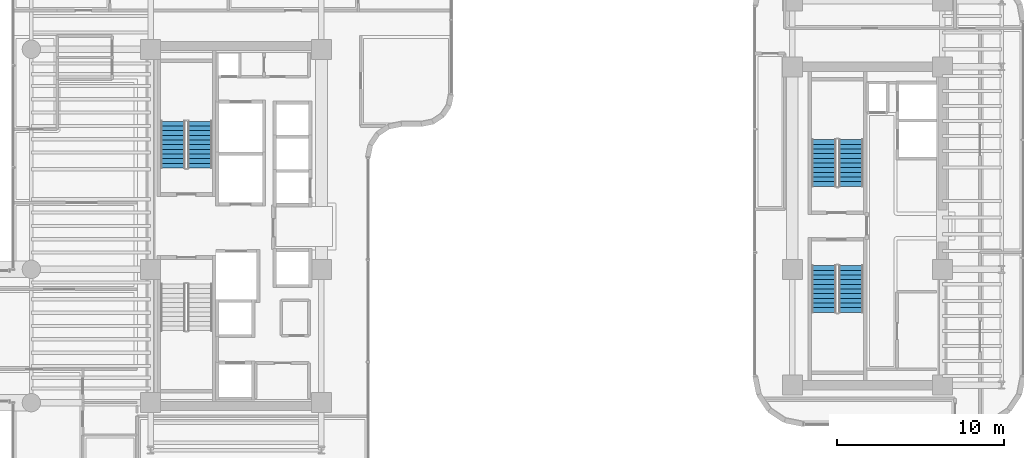
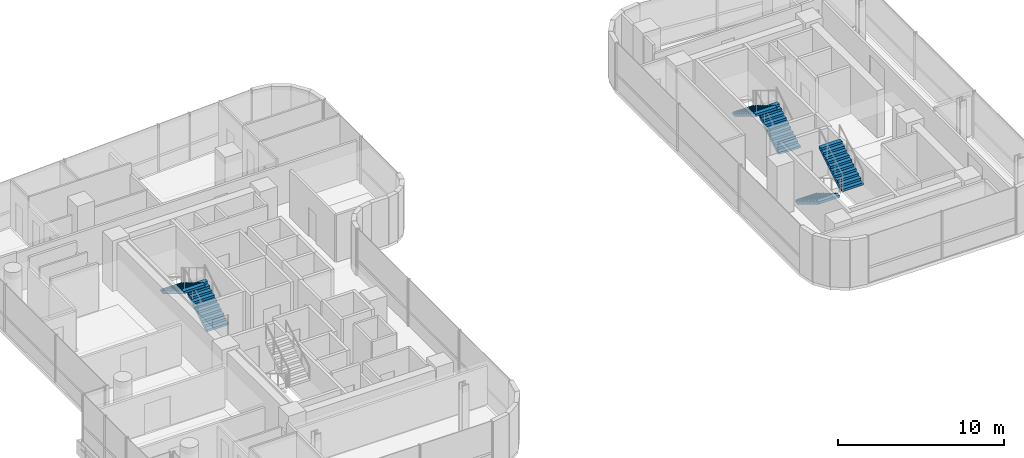
# One storey, part 30 of 34: 6 stair flights, 3 elements without a shape of their own.
"""IFC4 building model written with IfcOpenShell, lengths in metres."""

from ifc_helpers import new_model, si_unit, direction, frame, origin, place, context, subcontext, project, spatial, polyline, outline, extrude, material, type_object, element, aggregate, save


model = new_model("IFC4")

# Units and contexts
model_context = context("Model", 3, precision=1e-05, world=origin(), true_north=direction((0.0, 1.0)))
body_context = subcontext(model_context, "Body", "Model", "MODEL_VIEW")
ifc_project = project(units=[si_unit("LENGTHUNIT", "METRE"), si_unit("AREAUNIT", "SQUARE_METRE"), si_unit("VOLUMEUNIT", "CUBIC_METRE"), si_unit("PLANEANGLEUNIT", "RADIAN"), si_unit("MASSUNIT", "GRAM", prefix="KILO")], contexts=[model_context])

# Site, building, storey
site_placement = place(None, origin())
site = spatial("IfcSite", under=ifc_project, at=site_placement, CompositionType="ELEMENT")
building_placement = place(site_placement, origin())
building = spatial("IfcBuilding", under=site, at=building_placement, Name="Valdorenza Pilgrim Sanctuary Tower", CompositionType="ELEMENT")
storey_placement = place(building_placement, frame((0.0, 0.0, 164.89990234375)))
storey = spatial("IfcBuildingStorey", under=building, at=storey_placement, Name="L42", CompositionType="ELEMENT", Elevation=164.89990234375)

# Stair, stair flights
ifc_material = material(Name="Concrete C40/50", Category="concrete")
stair_type = type_object("IfcStairType", Name="STR-DOG-CORE", PredefinedType="HALF_TURN_STAIR", material=ifc_material)
stair_1_placement = place(storey_placement, origin())
stair_1 = element("IfcStair", 1, at=stair_1_placement, inside=storey, type_object=stair_type, Name="L42 ST-A1", PredefinedType="HALF_TURN_STAIR")
stair_flight_type = type_object("IfcStairFlightType", Name="STF-RC-1400", PredefinedType="STRAIGHT", material=ifc_material)
stair_flight_1_placement = place(storey_placement, frame((-19.679931640625, 3.47998046875, 0.0), z_axis=(0.0, 0.0, 1.0), x_axis=(0.0, 1.0, 0.0)))
stair_flight_1 = element("IfcStairFlight", 2, at=stair_flight_1_placement, type_object=stair_flight_type, Name="ST-A1 flight 1", NumberOfRisers=11, NumberOfTreads=10, PredefinedType="STRAIGHT", RiserHeight=0.168181818, TreadLength=0.28, context=body_context, shape_type="SweptSolid", body=[
    extrude(outline(polyline([(0.0, 0.0), (0.0, 0.168212890625), (0.280029296875, 0.168212890625), (0.280029296875, 0.33642578125), (0.56005859375, 0.33642578125), (0.56005859375, 0.504638671875), (0.840087890625, 0.504638671875), (0.840087890625, 0.672607421875), (1.1201171875, 0.672607421875), (1.1201171875, 0.8408203125), (1.39990234375, 0.8408203125), (1.39990234375, 1.009033203125), (1.679931640625, 1.009033203125), (1.679931640625, 1.17724609375), (1.9599609375, 1.17724609375), (1.9599609375, 1.345458984375), (2.239990234375, 1.345458984375), (2.239990234375, 1.513671875), (2.52001953125, 1.513671875), (2.52001953125, 1.681884765625), (2.800048828125, 1.681884765625), (2.800048828125, 1.85009765625), (2.800048828125, 1.5068359375), (0.291015625, 0.0), (0.0, 0.0)])), frame((0.0, 0.739990234375, 0.0), z_axis=(0.0, -1.0, 0.0), x_axis=(1.0, 0.0, 0.0)), (0.0, 0.0, 1.0), 1.47998046875),
])
stair_flight_2_placement = place(storey_placement, frame((-21.31005859375, 6.280029296875, 1.85009765625), z_axis=(0.0, 0.0, 1.0), x_axis=(0.0, -1.0, 0.0)))
stair_flight_2 = element("IfcStairFlight", 3, at=stair_flight_2_placement, type_object=stair_flight_type, Name="ST-A1 flight 2", NumberOfRisers=11, NumberOfTreads=10, PredefinedType="STRAIGHT", RiserHeight=0.168181818, TreadLength=0.28, context=body_context, shape_type="SweptSolid", body=[
    extrude(outline(polyline([(0.0, 0.0), (0.0, 0.168212890625), (0.280029296875, 0.168212890625), (0.280029296875, 0.33642578125), (0.56005859375, 0.33642578125), (0.56005859375, 0.504638671875), (0.840087890625, 0.504638671875), (0.840087890625, 0.672607421875), (1.1201171875, 0.672607421875), (1.1201171875, 0.8408203125), (1.39990234375, 0.8408203125), (1.39990234375, 1.009033203125), (1.679931640625, 1.009033203125), (1.679931640625, 1.17724609375), (1.9599609375, 1.17724609375), (1.9599609375, 1.345458984375), (2.239990234375, 1.345458984375), (2.239990234375, 1.513671875), (2.52001953125, 1.513671875), (2.52001953125, 1.681884765625), (2.800048828125, 1.681884765625), (2.800048828125, 1.85009765625), (2.800048828125, 1.5068359375), (0.291015625, 0.0), (0.0, 0.0)])), frame((0.0, 0.739990234375, 0.0), z_axis=(0.0, -1.0, 0.0), x_axis=(1.0, 0.0, 0.0)), (0.0, 0.0, 1.0), 1.47998046875),
])
aggregate(stair_1, [stair_flight_1, stair_flight_2])

stair_2_placement = place(storey_placement, origin())
stair_2 = element("IfcStair", 4, at=stair_2_placement, inside=storey, type_object=stair_type, Name="L42 ST-B1", PredefinedType="HALF_TURN_STAIR")
stair_flight_3_placement = place(storey_placement, frame((19.3701171875, 2.3798828125, 0.0), z_axis=(0.0, 0.0, 1.0), x_axis=(0.0, 1.0, 0.0)))
stair_flight_3 = element("IfcStairFlight", 5, at=stair_flight_3_placement, type_object=stair_flight_type, Name="ST-B1 flight 1", NumberOfRisers=11, NumberOfTreads=10, PredefinedType="STRAIGHT", RiserHeight=0.168181818, TreadLength=0.28, context=body_context, shape_type="SweptSolid", body=[
    extrude(outline(polyline([(0.0, 0.0), (0.0, 0.168212890625), (0.280029296875, 0.168212890625), (0.280029296875, 0.33642578125), (0.56005859375, 0.33642578125), (0.56005859375, 0.504638671875), (0.840087890625, 0.504638671875), (0.840087890625, 0.672607421875), (1.1201171875, 0.672607421875), (1.1201171875, 0.8408203125), (1.39990234375, 0.8408203125), (1.39990234375, 1.009033203125), (1.679931640625, 1.009033203125), (1.679931640625, 1.17724609375), (1.9599609375, 1.17724609375), (1.9599609375, 1.345458984375), (2.239990234375, 1.345458984375), (2.239990234375, 1.513671875), (2.52001953125, 1.513671875), (2.52001953125, 1.681884765625), (2.800048828125, 1.681884765625), (2.800048828125, 1.85009765625), (2.800048828125, 1.5068359375), (0.291015625, 0.0), (0.0, 0.0)])), frame((0.0, 0.739990234375, 0.0), z_axis=(0.0, -1.0, 0.0), x_axis=(1.0, 0.0, 0.0)), (0.0, 0.0, 1.0), 1.47998046875),
])
stair_flight_4_placement = place(storey_placement, frame((17.739990234375, 5.179931640625, 1.85009765625), z_axis=(0.0, 0.0, 1.0), x_axis=(0.0, -1.0, 0.0)))
stair_flight_4 = element("IfcStairFlight", 6, at=stair_flight_4_placement, type_object=stair_flight_type, Name="ST-B1 flight 2", NumberOfRisers=11, NumberOfTreads=10, PredefinedType="STRAIGHT", RiserHeight=0.168181818, TreadLength=0.28, context=body_context, shape_type="SweptSolid", body=[
    extrude(outline(polyline([(0.0, 0.0), (0.0, 0.168212890625), (0.280029296875, 0.168212890625), (0.280029296875, 0.33642578125), (0.56005859375, 0.33642578125), (0.56005859375, 0.504638671875), (0.840087890625, 0.504638671875), (0.840087890625, 0.672607421875), (1.1201171875, 0.672607421875), (1.1201171875, 0.8408203125), (1.39990234375, 0.8408203125), (1.39990234375, 1.009033203125), (1.679931640625, 1.009033203125), (1.679931640625, 1.17724609375), (1.9599609375, 1.17724609375), (1.9599609375, 1.345458984375), (2.239990234375, 1.345458984375), (2.239990234375, 1.513671875), (2.52001953125, 1.513671875), (2.52001953125, 1.681884765625), (2.800048828125, 1.681884765625), (2.800048828125, 1.85009765625), (2.800048828125, 1.5068359375), (0.291015625, 0.0), (0.0, 0.0)])), frame((0.0, 0.739990234375, 0.0), z_axis=(0.0, -1.0, 0.0), x_axis=(1.0, 0.0, 0.0)), (0.0, 0.0, 1.0), 1.47998046875),
])
aggregate(stair_2, [stair_flight_3, stair_flight_4])

stair_3_placement = place(storey_placement, origin())
stair_3 = element("IfcStair", 7, at=stair_3_placement, inside=storey, type_object=stair_type, Name="L42 ST-B2", PredefinedType="HALF_TURN_STAIR")
stair_flight_5_placement = place(storey_placement, frame((17.739990234375, -2.3798828125, 0.0), z_axis=(0.0, 0.0, 1.0), x_axis=(0.0, -1.0, 0.0)))
stair_flight_5 = element("IfcStairFlight", 8, at=stair_flight_5_placement, type_object=stair_flight_type, Name="ST-B2 flight 1", NumberOfRisers=11, NumberOfTreads=10, PredefinedType="STRAIGHT", RiserHeight=0.168181818, TreadLength=0.28, context=body_context, shape_type="SweptSolid", body=[
    extrude(outline(polyline([(0.0, 0.0), (0.0, 0.168212890625), (0.280029296875, 0.168212890625), (0.280029296875, 0.33642578125), (0.56005859375, 0.33642578125), (0.56005859375, 0.504638671875), (0.840087890625, 0.504638671875), (0.840087890625, 0.672607421875), (1.1201171875, 0.672607421875), (1.1201171875, 0.8408203125), (1.39990234375, 0.8408203125), (1.39990234375, 1.009033203125), (1.679931640625, 1.009033203125), (1.679931640625, 1.17724609375), (1.9599609375, 1.17724609375), (1.9599609375, 1.345458984375), (2.239990234375, 1.345458984375), (2.239990234375, 1.513671875), (2.52001953125, 1.513671875), (2.52001953125, 1.681884765625), (2.800048828125, 1.681884765625), (2.800048828125, 1.85009765625), (2.800048828125, 1.5068359375), (0.291015625, 0.0), (0.0, 0.0)])), frame((0.0, 0.739990234375, 0.0), z_axis=(0.0, -1.0, 0.0), x_axis=(1.0, 0.0, 0.0)), (0.0, 0.0, 1.0), 1.47998046875),
])
stair_flight_6_placement = place(storey_placement, frame((19.3701171875, -5.179931640625, 1.85009765625), z_axis=(0.0, 0.0, 1.0), x_axis=(0.0, 1.0, 0.0)))
stair_flight_6 = element("IfcStairFlight", 9, at=stair_flight_6_placement, type_object=stair_flight_type, Name="ST-B2 flight 2", NumberOfRisers=11, NumberOfTreads=10, PredefinedType="STRAIGHT", RiserHeight=0.168181818, TreadLength=0.28, context=body_context, shape_type="SweptSolid", body=[
    extrude(outline(polyline([(0.0, 0.0), (0.0, 0.168212890625), (0.280029296875, 0.168212890625), (0.280029296875, 0.33642578125), (0.56005859375, 0.33642578125), (0.56005859375, 0.504638671875), (0.840087890625, 0.504638671875), (0.840087890625, 0.672607421875), (1.1201171875, 0.672607421875), (1.1201171875, 0.8408203125), (1.39990234375, 0.8408203125), (1.39990234375, 1.009033203125), (1.679931640625, 1.009033203125), (1.679931640625, 1.17724609375), (1.9599609375, 1.17724609375), (1.9599609375, 1.345458984375), (2.239990234375, 1.345458984375), (2.239990234375, 1.513671875), (2.52001953125, 1.513671875), (2.52001953125, 1.681884765625), (2.800048828125, 1.681884765625), (2.800048828125, 1.85009765625), (2.800048828125, 1.5068359375), (0.291015625, 0.0), (0.0, 0.0)])), frame((0.0, 0.739990234375, 0.0), z_axis=(0.0, -1.0, 0.0), x_axis=(1.0, 0.0, 0.0)), (0.0, 0.0, 1.0), 1.47998046875),
])
aggregate(stair_3, [stair_flight_5, stair_flight_6])

save(model, "model.ifc")
